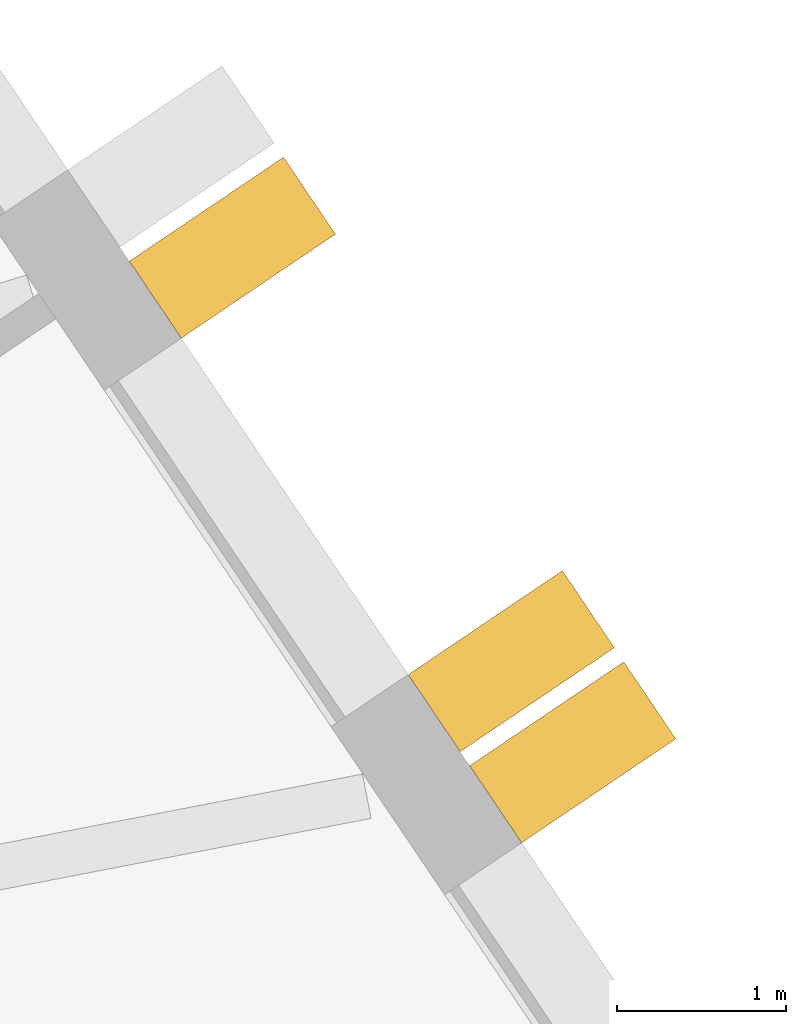
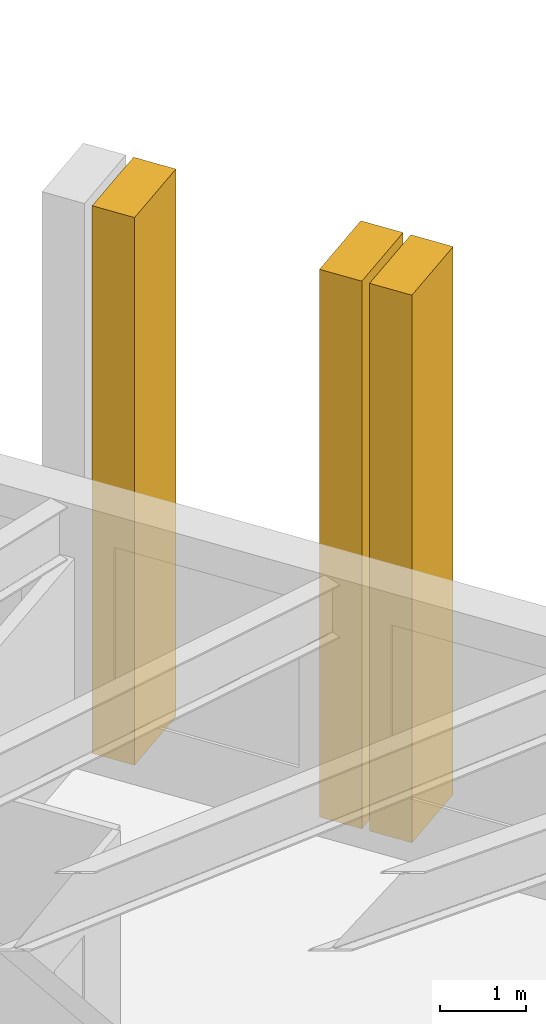
# One storey, part 12 of 12: 3 shading devices.
"""IFC4 building model written with IfcOpenShell, lengths in metres."""

import ifcopenshell
import ifcopenshell.guid

model = None  # the IFC model being written
_history = None  # IfcOwnerHistory: only IFC2X3 demands one
_inside = {}  # id of a spatial element -> (the spatial element, [elements in it])
_under = {}  # id of a project, library or spatial element -> (it, [spatial elements below it])
_declared = {}  # id of a project -> (the project, [libraries it declares])
_typed = {}  # id of a type object -> (the type object, [elements of that type])
_made_of = {}  # id of a material, layer set ... -> (it, [elements and type objects made of it])


def new_model(schema):
    """Start an empty IFC model of exactly this schema.

    Asked for "IFC4X3", IfcOpenShell would pick the latest addendum, in which some entities
    have other attributes; the version numbers below select the first issue.
    IFC2X3 requires an IfcOwnerHistory on every rooted entity: one is made here for all.
    """
    global model, _history
    if schema == "IFC4X3":
        model = ifcopenshell.file(schema_version=(4, 3, 0, 0))
    else:
        model = ifcopenshell.file(schema=schema)
    _inside.clear()
    _under.clear()
    _declared.clear()
    _typed.clear()
    _made_of.clear()
    _history = None
    if model.schema == "IFC2X3":
        org = make("IfcOrganization", Name="unknown")
        user = make(
            "IfcPersonAndOrganization",
            ThePerson=make("IfcPerson", FamilyName="unknown"),
            TheOrganization=org,
        )
        app = make(
            "IfcApplication",
            ApplicationDeveloper=org,
            Version="unknown",
            ApplicationFullName="unknown",
            ApplicationIdentifier="unknown",
        )
        _history = make(
            "IfcOwnerHistory",
            OwningUser=user,
            OwningApplication=app,
            ChangeAction="ADDED",
            CreationDate=0,
        )
    return model


def make(cls, **values):
    """One entity of the class cls with the attributes given. An attribute that is None is left unset."""
    return model.create_entity(
        cls, **{name: value for name, value in values.items() if value is not None}
    )


def rooted(cls, **values):
    """An entity with a GlobalId (a new one), such as an element, a storey or a relation."""
    return make(cls, GlobalId=ifcopenshell.guid.new(), OwnerHistory=_history, **values)


def si_unit(unit_type, name, prefix=None):
    """IfcSIUnit, for example si_unit("LENGTHUNIT", "METRE", prefix="MILLI")."""
    return make("IfcSIUnit", UnitType=unit_type, Prefix=prefix, Name=name)


def assignment(units):
    """IfcUnitAssignment: the units of a project."""
    return None if units is None else make("IfcUnitAssignment", Units=units)


def point(xyz):
    """IfcCartesianPoint."""
    return None if xyz is None else make("IfcCartesianPoint", Coordinates=xyz)


def direction(xyz):
    """IfcDirection."""
    return None if xyz is None else make("IfcDirection", DirectionRatios=xyz)


def frame(location, z_axis=None, x_axis=None):
    """IfcAxis2Placement3D, a coordinate frame: its origin and axes. An axis left out is left unset."""
    return make(
        "IfcAxis2Placement3D",
        Location=point(location),
        Axis=direction(z_axis),
        RefDirection=direction(x_axis),
    )


def origin():
    """The frame at (0, 0, 0) with its axes left unset."""
    return frame((0.0, 0.0, 0.0))


def place(relative_to, where):
    """IfcLocalPlacement: puts the frame where relative to a parent placement (None: the world)."""
    return make(
        "IfcLocalPlacement", PlacementRelTo=relative_to, RelativePlacement=where
    )


def context(
    kind, dimensions, precision=None, world=None, true_north=None, identifier=None
):
    """IfcGeometricRepresentationContext, for example the 3D "Model" context."""
    return make(
        "IfcGeometricRepresentationContext",
        ContextIdentifier=identifier,
        ContextType=kind,
        CoordinateSpaceDimension=dimensions,
        Precision=precision,
        WorldCoordinateSystem=world,
        TrueNorth=true_north,
    )


def subcontext(parent, identifier, kind, view, scale=None):
    """IfcGeometricRepresentationSubContext, for example "Body" below "Model"."""
    return make(
        "IfcGeometricRepresentationSubContext",
        ContextIdentifier=identifier,
        ContextType=kind,
        ParentContext=parent,
        TargetScale=scale,
        TargetView=view,
    )


def project(units=None, contexts=None):
    """IfcProject with its units and contexts."""
    return rooted(
        "IfcProject",
        Name="project",
        RepresentationContexts=contexts,
        UnitsInContext=assignment(units),
    )


def spatial(cls, under=None, at=None, **own):
    """A site, building, storey or space (cls), placed at a placement, below another one or the project."""
    s = rooted(cls, ObjectPlacement=at, **own)
    if under is not None:
        _under.setdefault(under.id(), (under, []))[1].append(s)
    return s


def polyline(points):
    """IfcPolyline through the points."""
    return make("IfcPolyline", Points=[point(p) for p in points])


def outline(outer, holes=None, kind="AREA"):
    """IfcArbitraryClosedProfileDef: a profile drawn as a closed curve; with holes, ...WithVoids."""
    if holes is None:
        return make("IfcArbitraryClosedProfileDef", ProfileType=kind, OuterCurve=outer)
    return make(
        "IfcArbitraryProfileDefWithVoids",
        ProfileType=kind,
        OuterCurve=outer,
        InnerCurves=holes,
    )


def extrude(swept, where, along, depth):
    """IfcExtrudedAreaSolid: the profile swept, set in the frame where, extruded along a direction by depth."""
    return make(
        "IfcExtrudedAreaSolid",
        SweptArea=swept,
        Position=where,
        ExtrudedDirection=direction(along),
        Depth=depth,
    )


def shape(context_of_items, identifier, shape_type, items):
    """IfcShapeRepresentation: the items that make up one representation, for example the "Body"."""
    return make(
        "IfcShapeRepresentation",
        ContextOfItems=context_of_items,
        RepresentationIdentifier=identifier,
        RepresentationType=shape_type,
        Items=items,
    )


def material(Name=None, Category=None):
    """IfcMaterial."""
    return make("IfcMaterial", Name=Name, Category=Category)


def layer(
    of_material, thickness, ventilated=None, Name=None, Category=None, Priority=None
):
    """IfcMaterialLayer: one layer of a wall or slab, of a material (None: an air gap)."""
    return make(
        "IfcMaterialLayer",
        Material=of_material,
        LayerThickness=thickness,
        IsVentilated=ventilated,
        Name=Name,
        Category=Category,
        Priority=Priority,
    )


def layer_set(layers, Name=None):
    """IfcMaterialLayerSet."""
    return make("IfcMaterialLayerSet", MaterialLayers=layers, LayerSetName=Name)


def made_of(thing, what):
    """Note that an element or type object is made of a material, layer set ...; save() writes the relation."""
    if what is not None:
        _made_of.setdefault(what.id(), (what, []))[1].append(thing)
    return thing


def type_object(cls, material=None, **own):
    """A type object (cls), such as IfcWallType, which elements share."""
    return made_of(rooted(cls, **own), material)


def element(
    cls,
    number,
    at=None,
    inside=None,
    cuts=None,
    type_object=None,
    material=None,
    context=None,
    identifier="Body",
    shape_type=None,
    held_by="IfcProductDefinitionShape",
    body=None,
    shapes=None,
    **own,
):
    """One element of the class cls, such as IfcWall. Its Tag is "e" and its number.

    at: its placement. inside: the storey or other place that contains it. cuts: it is an
    opening in that element (IfcRelVoidsElement). A single representation is given by context,
    identifier, shape_type and body (its items); several are given by shapes. held_by: the class
    of the entity that holds the representations. save() writes the other relations.
    """
    e = rooted(cls, Tag="e%d" % number, ObjectPlacement=at, **own)
    if body is not None:
        shapes = [shape(context, identifier, shape_type, body)]
    if shapes is not None:
        e.Representation = make(held_by, Representations=shapes)
    if inside is not None:
        _inside.setdefault(inside.id(), (inside, []))[1].append(e)
    if cuts is not None:
        rooted(
            "IfcRelVoidsElement", RelatingBuildingElement=cuts, RelatedOpeningElement=e
        )
    if type_object is not None:
        _typed.setdefault(type_object.id(), (type_object, []))[1].append(e)
    return made_of(e, material)


def aggregate(whole, parts):
    """IfcRelAggregates: a whole, such as a stair, and the parts it consists of."""
    return rooted("IfcRelAggregates", RelatingObject=whole, RelatedObjects=parts)


def save(model, path):
    """Write the relations noted so far, then the file.

    IfcRelAggregates (storeys below a building ...), IfcRelContainedInSpatialStructure (elements
    in a storey), IfcRelDefinesByType, IfcRelAssociatesMaterial and IfcRelDeclares: one each for
    every whole, place, type object, material and project.
    """
    for whole, parts in _under.values():
        aggregate(whole, parts)
    for where, things in _inside.values():
        rooted(
            "IfcRelContainedInSpatialStructure",
            RelatedElements=things,
            RelatingStructure=where,
        )
    for kind, things in _typed.values():
        rooted("IfcRelDefinesByType", RelatedObjects=things, RelatingType=kind)
    for what, things in _made_of.values():
        rooted("IfcRelAssociatesMaterial", RelatedObjects=things, RelatingMaterial=what)
    for by, libraries in _declared.values():
        rooted("IfcRelDeclares", RelatingContext=by, RelatedDefinitions=libraries)
    model.write(path)


model = new_model("IFC4")

# Units and contexts
model_context = context("Model", 3, precision=1e-05, world=origin(), true_north=direction((0.0, 1.0)))
body_context = subcontext(model_context, "Body", "Model", "MODEL_VIEW")
ifc_project = project(units=[si_unit("LENGTHUNIT", "METRE"), si_unit("AREAUNIT", "SQUARE_METRE"), si_unit("VOLUMEUNIT", "CUBIC_METRE"), si_unit("PLANEANGLEUNIT", "RADIAN"), si_unit("MASSUNIT", "GRAM", prefix="KILO")], contexts=[model_context])

# Site, building, storey
site_placement = place(None, origin())
site = spatial("IfcSite", under=ifc_project, at=site_placement, CompositionType="ELEMENT")
building_placement = place(site_placement, origin())
building = spatial("IfcBuilding", under=site, at=building_placement, Name="Tarnside Tower", CompositionType="ELEMENT")
storey_placement = place(building_placement, frame((0.0, 0.0, 60.89990234375)))
storey = spatial("IfcBuildingStorey", under=building, at=storey_placement, Name="L12", CompositionType="ELEMENT", Elevation=60.89990234375)

# Shading devices
ifc_material = material(Name="Concrete C50/60 white precast", Category="concrete")
ifc_layer = layer(ifc_material, 0.550048828125)
ifc_layer_set = layer_set([ifc_layer], Name="Precast fin 550 x 1100")
shading_device_type = type_object("IfcShadingDeviceType", Name="Precast fin 550 x 1100", PredefinedType="USERDEFINED", material=ifc_layer_set)
for number, where, z_axis, x_axis, name in (
    (1, (31.769287109375, 6.548583984375, -0.14990234375), (0.559192903471, -0.829037572555, 0.0), (0.829037572555, 0.559192903471, 0.0), "Precast fin"),
    (2, (31.406005859375, 7.087646484375, -0.14990234375), (0.559192903471, -0.829037572555, 0.0), (0.829037572555, 0.559192903471, 0.0), "Precast fin"),
    (3, (29.75634765625, 9.533203125, -0.14990234375), (0.559192903471, -0.829037572555, 0.0), (0.829037572555, 0.559192903471, 0.0), "Precast fin"),
):
    element("IfcShadingDevice", number, at=place(storey_placement, frame(where, z_axis=z_axis, x_axis=x_axis)), inside=storey, type_object=shading_device_type, Name=name, ObjectType="FIN", PredefinedType="USERDEFINED", context=body_context, shape_type="SweptSolid", body=[
        extrude(outline(polyline([(0.0, 0.0), (1.10009765625, 0.0), (1.10009765625, 7.800048828125), (0.0, 7.800048828125), (0.0, 0.0)])), frame((0.0, 0.0, -0.27490234375)), (0.0, 0.0, 1.0), 0.550048828125),
    ])

save(model, "model.ifc")
